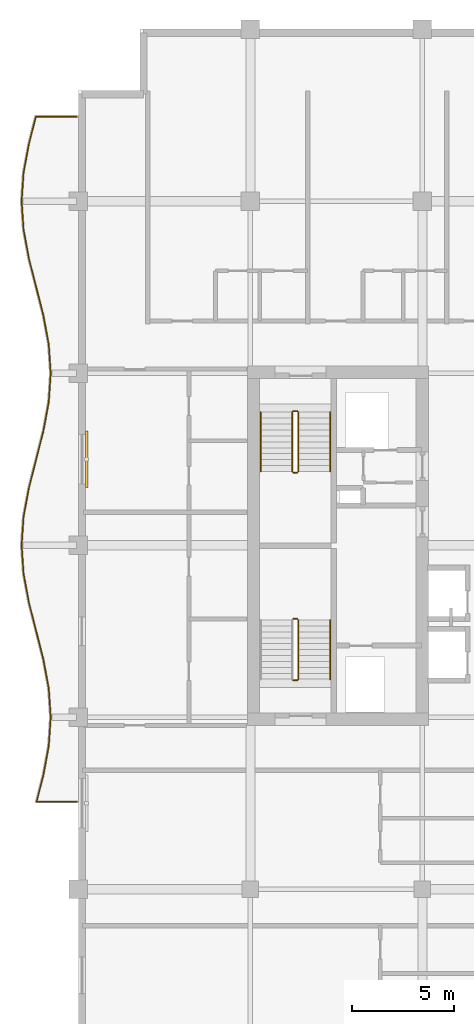
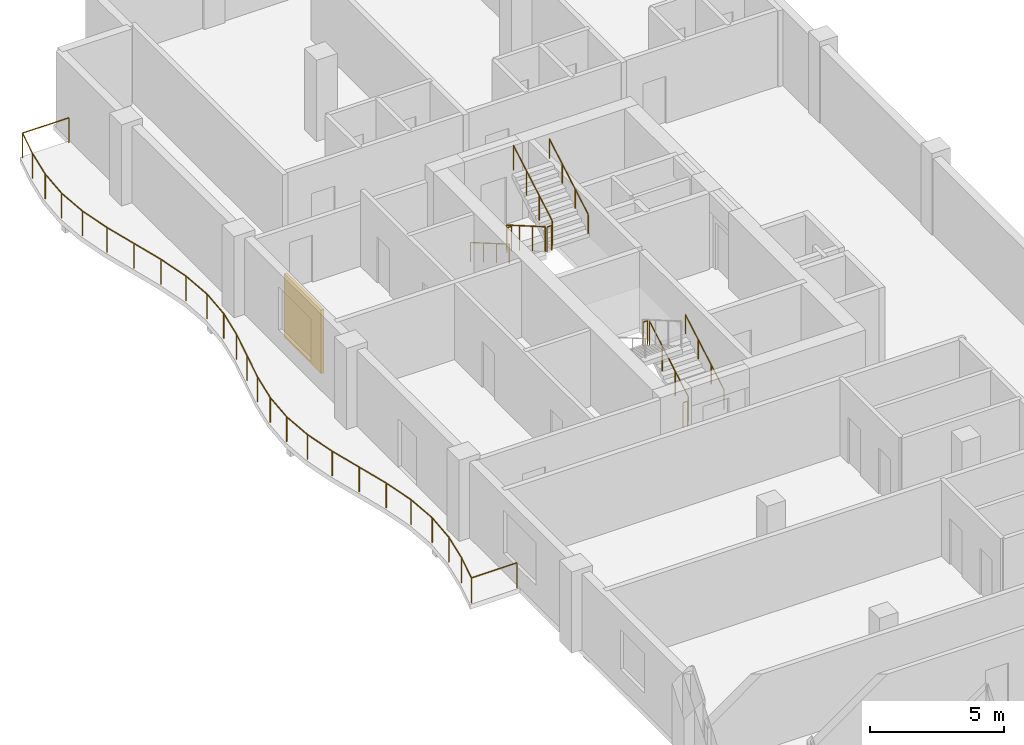
# One storey, part 16 of 16: 11 railings, 1 shading device.
"""IFC4 building model written with IfcOpenShell, lengths in metres."""

import ifcopenshell
import ifcopenshell.guid

model = None  # the IFC model being written
_history = None  # IfcOwnerHistory: only IFC2X3 demands one
_inside = {}  # id of a spatial element -> (the spatial element, [elements in it])
_under = {}  # id of a project, library or spatial element -> (it, [spatial elements below it])
_declared = {}  # id of a project -> (the project, [libraries it declares])
_typed = {}  # id of a type object -> (the type object, [elements of that type])
_made_of = {}  # id of a material, layer set ... -> (it, [elements and type objects made of it])


def new_model(schema):
    """Start an empty IFC model of exactly this schema.

    Asked for "IFC4X3", IfcOpenShell would pick the latest addendum, in which some entities
    have other attributes; the version numbers below select the first issue.
    IFC2X3 requires an IfcOwnerHistory on every rooted entity: one is made here for all.
    """
    global model, _history
    if schema == "IFC4X3":
        model = ifcopenshell.file(schema_version=(4, 3, 0, 0))
    else:
        model = ifcopenshell.file(schema=schema)
    _inside.clear()
    _under.clear()
    _declared.clear()
    _typed.clear()
    _made_of.clear()
    _history = None
    if model.schema == "IFC2X3":
        org = make("IfcOrganization", Name="unknown")
        user = make(
            "IfcPersonAndOrganization",
            ThePerson=make("IfcPerson", FamilyName="unknown"),
            TheOrganization=org,
        )
        app = make(
            "IfcApplication",
            ApplicationDeveloper=org,
            Version="unknown",
            ApplicationFullName="unknown",
            ApplicationIdentifier="unknown",
        )
        _history = make(
            "IfcOwnerHistory",
            OwningUser=user,
            OwningApplication=app,
            ChangeAction="ADDED",
            CreationDate=0,
        )
    return model


def make(cls, **values):
    """One entity of the class cls with the attributes given. An attribute that is None is left unset."""
    return model.create_entity(
        cls, **{name: value for name, value in values.items() if value is not None}
    )


def rooted(cls, **values):
    """An entity with a GlobalId (a new one), such as an element, a storey or a relation."""
    return make(cls, GlobalId=ifcopenshell.guid.new(), OwnerHistory=_history, **values)


def si_unit(unit_type, name, prefix=None):
    """IfcSIUnit, for example si_unit("LENGTHUNIT", "METRE", prefix="MILLI")."""
    return make("IfcSIUnit", UnitType=unit_type, Prefix=prefix, Name=name)


def assignment(units):
    """IfcUnitAssignment: the units of a project."""
    return None if units is None else make("IfcUnitAssignment", Units=units)


def point(xyz):
    """IfcCartesianPoint."""
    return None if xyz is None else make("IfcCartesianPoint", Coordinates=xyz)


def direction(xyz):
    """IfcDirection."""
    return None if xyz is None else make("IfcDirection", DirectionRatios=xyz)


def frame(location, z_axis=None, x_axis=None):
    """IfcAxis2Placement3D, a coordinate frame: its origin and axes. An axis left out is left unset."""
    return make(
        "IfcAxis2Placement3D",
        Location=point(location),
        Axis=direction(z_axis),
        RefDirection=direction(x_axis),
    )


def frame_2d(location, x_axis=None):
    """IfcAxis2Placement2D, a coordinate frame in the plane: its origin and x axis."""
    return make(
        "IfcAxis2Placement2D", Location=point(location), RefDirection=direction(x_axis)
    )


def origin():
    """The frame at (0, 0, 0) with its axes left unset."""
    return frame((0.0, 0.0, 0.0))


def origin_2d():
    """The frame at (0, 0) in the plane with its x axis left unset."""
    return frame_2d((0.0, 0.0))


def place(relative_to, where):
    """IfcLocalPlacement: puts the frame where relative to a parent placement (None: the world)."""
    return make(
        "IfcLocalPlacement", PlacementRelTo=relative_to, RelativePlacement=where
    )


def context(
    kind, dimensions, precision=None, world=None, true_north=None, identifier=None
):
    """IfcGeometricRepresentationContext, for example the 3D "Model" context."""
    return make(
        "IfcGeometricRepresentationContext",
        ContextIdentifier=identifier,
        ContextType=kind,
        CoordinateSpaceDimension=dimensions,
        Precision=precision,
        WorldCoordinateSystem=world,
        TrueNorth=true_north,
    )


def subcontext(parent, identifier, kind, view, scale=None):
    """IfcGeometricRepresentationSubContext, for example "Body" below "Model"."""
    return make(
        "IfcGeometricRepresentationSubContext",
        ContextIdentifier=identifier,
        ContextType=kind,
        ParentContext=parent,
        TargetScale=scale,
        TargetView=view,
    )


def project(units=None, contexts=None):
    """IfcProject with its units and contexts."""
    return rooted(
        "IfcProject",
        Name="project",
        RepresentationContexts=contexts,
        UnitsInContext=assignment(units),
    )


def spatial(cls, under=None, at=None, **own):
    """A site, building, storey or space (cls), placed at a placement, below another one or the project."""
    s = rooted(cls, ObjectPlacement=at, **own)
    if under is not None:
        _under.setdefault(under.id(), (under, []))[1].append(s)
    return s


def profile(cls, at=None, kind="AREA", **sizes):
    """A parametric profile (cls). Its sizes go by their IFC names, for example OverallWidth=200.0."""
    return make(cls, ProfileType=kind, Position=at, **sizes)


def rectangle(**sizes):
    """IfcRectangleProfileDef."""
    return profile("IfcRectangleProfileDef", **sizes)


def circle(**sizes):
    """IfcCircleProfileDef."""
    return profile("IfcCircleProfileDef", **sizes)


def extrude(swept, where, along, depth):
    """IfcExtrudedAreaSolid: the profile swept, set in the frame where, extruded along a direction by depth."""
    return make(
        "IfcExtrudedAreaSolid",
        SweptArea=swept,
        Position=where,
        ExtrudedDirection=direction(along),
        Depth=depth,
    )


def shape(context_of_items, identifier, shape_type, items):
    """IfcShapeRepresentation: the items that make up one representation, for example the "Body"."""
    return make(
        "IfcShapeRepresentation",
        ContextOfItems=context_of_items,
        RepresentationIdentifier=identifier,
        RepresentationType=shape_type,
        Items=items,
    )


def material(Name=None, Category=None):
    """IfcMaterial."""
    return make("IfcMaterial", Name=Name, Category=Category)


def layer(
    of_material, thickness, ventilated=None, Name=None, Category=None, Priority=None
):
    """IfcMaterialLayer: one layer of a wall or slab, of a material (None: an air gap)."""
    return make(
        "IfcMaterialLayer",
        Material=of_material,
        LayerThickness=thickness,
        IsVentilated=ventilated,
        Name=Name,
        Category=Category,
        Priority=Priority,
    )


def layer_set(layers, Name=None):
    """IfcMaterialLayerSet."""
    return make("IfcMaterialLayerSet", MaterialLayers=layers, LayerSetName=Name)


def made_of(thing, what):
    """Note that an element or type object is made of a material, layer set ...; save() writes the relation."""
    if what is not None:
        _made_of.setdefault(what.id(), (what, []))[1].append(thing)
    return thing


def type_object(cls, material=None, **own):
    """A type object (cls), such as IfcWallType, which elements share."""
    return made_of(rooted(cls, **own), material)


def element(
    cls,
    number,
    at=None,
    inside=None,
    cuts=None,
    type_object=None,
    material=None,
    context=None,
    identifier="Body",
    shape_type=None,
    held_by="IfcProductDefinitionShape",
    body=None,
    shapes=None,
    **own,
):
    """One element of the class cls, such as IfcWall. Its Tag is "e" and its number.

    at: its placement. inside: the storey or other place that contains it. cuts: it is an
    opening in that element (IfcRelVoidsElement). A single representation is given by context,
    identifier, shape_type and body (its items); several are given by shapes. held_by: the class
    of the entity that holds the representations. save() writes the other relations.
    """
    e = rooted(cls, Tag="e%d" % number, ObjectPlacement=at, **own)
    if body is not None:
        shapes = [shape(context, identifier, shape_type, body)]
    if shapes is not None:
        e.Representation = make(held_by, Representations=shapes)
    if inside is not None:
        _inside.setdefault(inside.id(), (inside, []))[1].append(e)
    if cuts is not None:
        rooted(
            "IfcRelVoidsElement", RelatingBuildingElement=cuts, RelatedOpeningElement=e
        )
    if type_object is not None:
        _typed.setdefault(type_object.id(), (type_object, []))[1].append(e)
    return made_of(e, material)


def aggregate(whole, parts):
    """IfcRelAggregates: a whole, such as a stair, and the parts it consists of."""
    return rooted("IfcRelAggregates", RelatingObject=whole, RelatedObjects=parts)


def save(model, path):
    """Write the relations noted so far, then the file.

    IfcRelAggregates (storeys below a building ...), IfcRelContainedInSpatialStructure (elements
    in a storey), IfcRelDefinesByType, IfcRelAssociatesMaterial and IfcRelDeclares: one each for
    every whole, place, type object, material and project.
    """
    for whole, parts in _under.values():
        aggregate(whole, parts)
    for where, things in _inside.values():
        rooted(
            "IfcRelContainedInSpatialStructure",
            RelatedElements=things,
            RelatingStructure=where,
        )
    for kind, things in _typed.values():
        rooted("IfcRelDefinesByType", RelatedObjects=things, RelatingType=kind)
    for what, things in _made_of.values():
        rooted("IfcRelAssociatesMaterial", RelatedObjects=things, RelatingMaterial=what)
    for by, libraries in _declared.values():
        rooted("IfcRelDeclares", RelatingContext=by, RelatedDefinitions=libraries)
    model.write(path)


model = new_model("IFC4")

# Units and contexts
model_context = context("Model", 3, precision=1e-05, world=origin(), true_north=direction((0.0, 1.0)))
body_context = subcontext(model_context, "Body", "Model", "MODEL_VIEW")
ifc_project = project(units=[si_unit("LENGTHUNIT", "METRE"), si_unit("AREAUNIT", "SQUARE_METRE"), si_unit("VOLUMEUNIT", "CUBIC_METRE"), si_unit("PLANEANGLEUNIT", "RADIAN"), si_unit("MASSUNIT", "GRAM", prefix="KILO")], contexts=[model_context])

# Site, building, storey
site_placement = place(None, origin())
site = spatial("IfcSite", under=ifc_project, at=site_placement, CompositionType="ELEMENT")
building_placement = place(site_placement, origin())
building = spatial("IfcBuilding", under=site, at=building_placement, Name="Koriwani Terraces Tower", CompositionType="ELEMENT")
storey_placement = place(building_placement, frame((0.0, 0.0, 260.10009765625)))
storey = spatial("IfcBuildingStorey", under=building, at=storey_placement, Name="L64", CompositionType="ELEMENT", Elevation=260.10009765625)

# Railings
ifc_material_1 = material(Name="Steel ASTM A572 Grade 50", Category="steel")
railing_type_1 = type_object("IfcRailingType", Name="GUARD_BALUSTRADE_1150", PredefinedType="BALUSTRADE", material=ifc_material_1)
railing_1_placement = place(storey_placement, frame((8.320068359375, 37.8798828125, 0.0)))
element("IfcRailing", 1, at=railing_1_placement, inside=storey, type_object=railing_type_1, Name="L64 Balcony Perimeter Safety Balustrade (W)", PredefinedType="BALUSTRADE", context=body_context, shape_type="SweptSolid", body=[
    extrude(circle(Radius=0.02392578125, at=origin_2d()), frame((0.0, 0.0, 1.1259765625), z_axis=(-1.0, 0.0, 0.0), x_axis=(0.0, -1.0, 0.0)), (0.0, 0.0, 1.0), 1.957275390625),
    extrude(circle(Radius=0.02392578125, at=origin_2d()), frame((-1.957275390625, 0.0, 1.1259765625), z_axis=(0.245739459323, 0.969335916043, 0.0), x_axis=(-0.969335916043, 0.245739459323, 0.0)), (0.0, 0.0, 1.0), 1.34423828125),
    extrude(circle(Radius=0.02392578125, at=origin_2d()), frame((-1.626953125, 1.302978515625, 1.1259765625), z_axis=(0.182351913416, 0.983233329212, 0.0), x_axis=(-0.983233329212, 0.182351913416, 0.0)), (0.0, 0.0, 1.0), 1.43115234375),
    extrude(circle(Radius=0.02392578125, at=origin_2d()), frame((-1.365966796875, 2.710205078125, 1.1259765625), z_axis=(0.067722949425, 0.997704165633, 0.0), x_axis=(-0.997704165633, 0.067722949425, 0.0)), (0.0, 0.0, 1.0), 1.4130859375),
    extrude(circle(Radius=0.02392578125, at=origin_2d()), frame((-1.270263671875, 4.1201171875, 1.1259765625), z_axis=(-0.067722949425, 0.997704165633, 0.0), x_axis=(-0.997704165633, -0.067722949425, 0.0)), (0.0, 0.0, 1.0), 1.4130859375),
    extrude(circle(Radius=0.02392578125, at=origin_2d()), frame((-1.365966796875, 5.530029296875, 1.1259765625), z_axis=(-0.182351913416, 0.983233329212, 0.0), x_axis=(-0.983233329212, -0.182351913416, 0.0)), (0.0, 0.0, 1.0), 1.43115234375),
    extrude(circle(Radius=0.02392578125, at=origin_2d()), frame((-1.626953125, 6.937255859375, 1.1259765625), z_axis=(-0.245775750895, 0.969326714928, 0.0), x_axis=(-0.969326714928, -0.245775750895, 0.0)), (0.0, 0.0, 1.0), 2.888671875),
    extrude(circle(Radius=0.02392578125, at=origin_2d()), frame((-2.3369140625, 9.7373046875, 1.1259765625), z_axis=(-0.182508895706, 0.98320420208, 0.0), x_axis=(-0.98320420208, -0.182508895706, 0.0)), (0.0, 0.0, 1.0), 1.41650390625),
    extrude(circle(Radius=0.02392578125, at=origin_2d()), frame((-2.595458984375, 11.130126953125, 1.1259765625), z_axis=(-0.067821696155, 0.997697457915, 0.0), x_axis=(-0.997697457915, -0.067821696155, 0.0)), (0.0, 0.0, 1.0), 1.39306640625),
    extrude(circle(Radius=0.02392578125, at=origin_2d()), frame((-2.68994140625, 12.52001953125, 1.1259765625), z_axis=(0.067809839848, 0.997698263815, 0.0), x_axis=(-0.997698263815, 0.067809839848, 0.0)), (0.0, 0.0, 1.0), 1.393310546875),
    extrude(circle(Radius=0.02392578125, at=origin_2d()), frame((-2.595458984375, 13.91015625, 1.1259765625), z_axis=(0.182508895706, 0.98320420208, 0.0), x_axis=(-0.98320420208, 0.182508895706, 0.0)), (0.0, 0.0, 1.0), 1.41650390625),
    extrude(circle(Radius=0.02392578125, at=origin_2d()), frame((-2.3369140625, 15.302978515625, 1.1259765625), z_axis=(0.245775750895, 0.969326714928, 0.0), x_axis=(-0.969326714928, 0.245775750895, 0.0)), (0.0, 0.0, 1.0), 2.888671875),
    extrude(circle(Radius=0.02392578125, at=origin_2d()), frame((-1.626953125, 18.10302734375, 1.1259765625), z_axis=(0.182382502828, 0.983227655562, 0.0), x_axis=(-0.983227655562, 0.182382502828, 0.0)), (0.0, 0.0, 1.0), 1.430908203125),
    extrude(circle(Radius=0.02392578125, at=origin_2d()), frame((-1.365966796875, 19.510009765625, 1.1259765625), z_axis=(0.067711278299, 0.997704957786, 0.0), x_axis=(-0.997704957786, 0.067711278299, 0.0)), (0.0, 0.0, 1.0), 1.413330078125),
    extrude(circle(Radius=0.02392578125, at=origin_2d()), frame((-1.270263671875, 20.920166015625, 1.1259765625), z_axis=(-0.067722949425, 0.997704165633, 0.0), x_axis=(-0.997704165633, -0.067722949425, 0.0)), (0.0, 0.0, 1.0), 1.4130859375),
    extrude(circle(Radius=0.02392578125, at=origin_2d()), frame((-1.365966796875, 22.330078125, 1.1259765625), z_axis=(-0.182351913416, 0.983233329212, 0.0), x_axis=(-0.983233329212, -0.182351913416, 0.0)), (0.0, 0.0, 1.0), 1.43115234375),
    extrude(circle(Radius=0.02392578125, at=origin_2d()), frame((-1.626953125, 23.7373046875, 1.1259765625), z_axis=(-0.245775750895, 0.969326714928, 0.0), x_axis=(-0.969326714928, -0.245775750895, 0.0)), (0.0, 0.0, 1.0), 2.888671875),
    extrude(circle(Radius=0.02392578125, at=origin_2d()), frame((-2.3369140625, 26.537353515625, 1.1259765625), z_axis=(-0.182508895706, 0.98320420208, 0.0), x_axis=(-0.98320420208, -0.182508895706, 0.0)), (0.0, 0.0, 1.0), 1.41650390625),
    extrude(circle(Radius=0.02392578125, at=origin_2d()), frame((-2.595458984375, 27.93017578125, 1.1259765625), z_axis=(-0.067821696155, 0.997697457915, 0.0), x_axis=(-0.997697457915, -0.067821696155, 0.0)), (0.0, 0.0, 1.0), 1.39306640625),
    extrude(circle(Radius=0.02392578125, at=origin_2d()), frame((-2.68994140625, 29.320068359375, 1.1259765625), z_axis=(0.067809839848, 0.997698263815, 0.0), x_axis=(-0.997698263815, 0.067809839848, 0.0)), (0.0, 0.0, 1.0), 1.393310546875),
    extrude(circle(Radius=0.02392578125, at=origin_2d()), frame((-2.595458984375, 30.710205078125, 1.1259765625), z_axis=(0.182508895706, 0.98320420208, 0.0), x_axis=(-0.98320420208, 0.182508895706, 0.0)), (0.0, 0.0, 1.0), 1.41650390625),
    extrude(circle(Radius=0.02392578125, at=origin_2d()), frame((-2.3369140625, 32.10302734375, 1.1259765625), z_axis=(0.245823959624, 0.969314490181, 0.0), x_axis=(-0.969314490181, 0.245823959624, 0.0)), (0.0, 0.0, 1.0), 1.37939453125),
    extrude(circle(Radius=0.02392578125, at=origin_2d()), frame((-1.997802734375, 33.440185546875, 1.1259765625), z_axis=(1.0, 0.0, 0.0), x_axis=(0.0, 1.0, 0.0)), (0.0, 0.0, 1.0), 1.997802734375),
    extrude(circle(Radius=0.02099609375, at=origin_2d()), origin(), (0.0, 0.0, 1.0), 1.101806640625),
    extrude(circle(Radius=0.02099609375, at=origin_2d()), frame((-1.957275390625, 0.0, 0.0)), (0.0, 0.0, 1.0), 1.101806640625),
    extrude(circle(Radius=0.02099609375, at=origin_2d()), frame((-1.626953125, 1.302978515625, 0.0)), (0.0, 0.0, 1.0), 1.101806640625),
    extrude(circle(Radius=0.02099609375, at=origin_2d()), frame((-1.365966796875, 2.710205078125, 0.0)), (0.0, 0.0, 1.0), 1.101806640625),
    extrude(circle(Radius=0.02099609375, at=origin_2d()), frame((-1.270263671875, 4.1201171875, 0.0)), (0.0, 0.0, 1.0), 1.101806640625),
    extrude(circle(Radius=0.02099609375, at=origin_2d()), frame((-1.365966796875, 5.530029296875, 0.0)), (0.0, 0.0, 1.0), 1.101806640625),
    extrude(circle(Radius=0.02099609375, at=origin_2d()), frame((-1.626953125, 6.937255859375, 0.0)), (0.0, 0.0, 1.0), 1.101806640625),
    extrude(circle(Radius=0.02099609375, at=origin_2d()), frame((-1.98193359375, 8.33740234375, 0.0)), (0.0, 0.0, 1.0), 1.101806640625),
    extrude(circle(Radius=0.02099609375, at=origin_2d()), frame((-2.3369140625, 9.7373046875, 0.0)), (0.0, 0.0, 1.0), 1.101806640625),
    extrude(circle(Radius=0.02099609375, at=origin_2d()), frame((-2.595458984375, 11.130126953125, 0.0)), (0.0, 0.0, 1.0), 1.101806640625),
    extrude(circle(Radius=0.02099609375, at=origin_2d()), frame((-2.68994140625, 12.52001953125, 0.0)), (0.0, 0.0, 1.0), 1.101806640625),
    extrude(circle(Radius=0.02099609375, at=origin_2d()), frame((-2.595458984375, 13.91015625, 0.0)), (0.0, 0.0, 1.0), 1.101806640625),
    extrude(circle(Radius=0.02099609375, at=origin_2d()), frame((-2.3369140625, 15.302978515625, 0.0)), (0.0, 0.0, 1.0), 1.101806640625),
    extrude(circle(Radius=0.02099609375, at=origin_2d()), frame((-1.98193359375, 16.703125, 0.0)), (0.0, 0.0, 1.0), 1.101806640625),
    extrude(circle(Radius=0.02099609375, at=origin_2d()), frame((-1.626953125, 18.10302734375, 0.0)), (0.0, 0.0, 1.0), 1.101806640625),
    extrude(circle(Radius=0.02099609375, at=origin_2d()), frame((-1.365966796875, 19.510009765625, 0.0)), (0.0, 0.0, 1.0), 1.101806640625),
    extrude(circle(Radius=0.02099609375, at=origin_2d()), frame((-1.270263671875, 20.920166015625, 0.0)), (0.0, 0.0, 1.0), 1.101806640625),
    extrude(circle(Radius=0.02099609375, at=origin_2d()), frame((-1.365966796875, 22.330078125, 0.0)), (0.0, 0.0, 1.0), 1.101806640625),
    extrude(circle(Radius=0.02099609375, at=origin_2d()), frame((-1.626953125, 23.7373046875, 0.0)), (0.0, 0.0, 1.0), 1.101806640625),
    extrude(circle(Radius=0.02099609375, at=origin_2d()), frame((-1.98193359375, 25.13720703125, 0.0)), (0.0, 0.0, 1.0), 1.101806640625),
    extrude(circle(Radius=0.02099609375, at=origin_2d()), frame((-2.3369140625, 26.537353515625, 0.0)), (0.0, 0.0, 1.0), 1.101806640625),
    extrude(circle(Radius=0.02099609375, at=origin_2d()), frame((-2.595458984375, 27.93017578125, 0.0)), (0.0, 0.0, 1.0), 1.101806640625),
    extrude(circle(Radius=0.02099609375, at=origin_2d()), frame((-2.68994140625, 29.320068359375, 0.0)), (0.0, 0.0, 1.0), 1.101806640625),
    extrude(circle(Radius=0.02099609375, at=origin_2d()), frame((-2.595458984375, 30.710205078125, 0.0)), (0.0, 0.0, 1.0), 1.101806640625),
    extrude(circle(Radius=0.02099609375, at=origin_2d()), frame((-2.3369140625, 32.10302734375, 0.0)), (0.0, 0.0, 1.0), 1.101806640625),
    extrude(circle(Radius=0.02099609375, at=origin_2d()), frame((-1.997802734375, 33.440185546875, 0.0)), (0.0, 0.0, 1.0), 1.101806640625),
    extrude(circle(Radius=0.02099609375, at=origin_2d()), frame((0.0, 33.440185546875, 0.0)), (0.0, 0.0, 1.0), 1.101806640625),
])
railing_type_2 = type_object("IfcRailingType", Name="GUARD_STAIR_WELL_1120", PredefinedType="GUARDRAIL", material=ifc_material_1)
railing_2_placement = place(storey_placement, frame((19.14990234375, 43.85009765625, 0.16796875)))
element("IfcRailing", 2, at=railing_2_placement, inside=storey, type_object=railing_type_2, Name="L64 ST-W1 stair guard 1", PredefinedType="GUARDRAIL", context=body_context, shape_type="SweptSolid", body=[
    extrude(circle(Radius=0.02392578125, at=origin_2d()), frame((0.0, 0.0, 1.1259765625), z_axis=(0.0, 0.865038774852, 0.501705010941), x_axis=(-1.0, 0.0, 0.0)), (0.0, 0.0, 1.0), 3.352294921875),
    extrude(circle(Radius=0.02099609375, at=origin_2d()), origin(), (0.0, 0.0, 1.0), 1.101806640625),
    extrude(circle(Radius=0.02099609375, at=origin_2d()), frame((0.0, 0.966552734375, 0.560546875)), (0.0, 0.0, 1.0), 1.101806640625),
    extrude(circle(Radius=0.02099609375, at=origin_2d()), frame((0.0, 1.933349609375, 1.121337890625)), (0.0, 0.0, 1.0), 1.101806640625),
    extrude(circle(Radius=0.02099609375, at=origin_2d()), frame((0.0, 2.89990234375, 1.681884765625)), (0.0, 0.0, 1.0), 1.101806640625),
])
for number, where, name in (
    (3, (19.10009765625, 46.800048828125, 1.849853515625), "L64 ST-W1 stair guard 2"),
    (4, (19.10009765625, 43.800048828125, 0.0), "L64 ST-W1 stair guard 4"),
):
    element("IfcRailing", number, at=place(storey_placement, frame(where)), inside=storey, type_object=railing_type_2, Name=name, PredefinedType="GUARDRAIL", context=body_context, shape_type="SweptSolid", body=[
        extrude(circle(Radius=0.02392578125, at=origin_2d()), frame((0.0, 0.0, 1.1259765625), z_axis=(-1.0, 0.0, 0.0), x_axis=(0.0, -1.0, 0.0)), (0.0, 0.0, 1.0), 0.2001953125),
        extrude(circle(Radius=0.02099609375, at=origin_2d()), origin(), (0.0, 0.0, 1.0), 1.101806640625),
        extrude(circle(Radius=0.02099609375, at=origin_2d()), frame((-0.2001953125, 0.0, 0.0)), (0.0, 0.0, 1.0), 1.101806640625),
    ])
railing_3_placement = place(storey_placement, frame((18.85009765625, 56.89990234375, 0.16796875)))
element("IfcRailing", 5, at=railing_3_placement, inside=storey, type_object=railing_type_2, Name="L64 ST-W2 stair guard 1", PredefinedType="GUARDRAIL", context=body_context, shape_type="SweptSolid", body=[
    extrude(circle(Radius=0.02392578125, at=origin_2d()), frame((0.0, 0.0, 1.1259765625), z_axis=(0.0, -0.865038774852, 0.501705010941), x_axis=(1.0, 0.0, 0.0)), (0.0, 0.0, 1.0), 3.352294921875),
    extrude(circle(Radius=0.02099609375, at=origin_2d()), origin(), (0.0, 0.0, 1.0), 1.101806640625),
    extrude(circle(Radius=0.02099609375, at=origin_2d()), frame((0.0, -0.966552734375, 0.560546875)), (0.0, 0.0, 1.0), 1.101806640625),
    extrude(circle(Radius=0.02099609375, at=origin_2d()), frame((0.0, -1.933349609375, 1.121337890625)), (0.0, 0.0, 1.0), 1.101806640625),
    extrude(circle(Radius=0.02099609375, at=origin_2d()), frame((0.0, -2.89990234375, 1.681884765625)), (0.0, 0.0, 1.0), 1.101806640625),
])
railing_4_placement = place(storey_placement, frame((18.89990234375, 53.949951171875, 1.849853515625)))
element("IfcRailing", 6, at=railing_4_placement, inside=storey, type_object=railing_type_2, Name="L64 ST-W2 stair guard 2", PredefinedType="GUARDRAIL", context=body_context, shape_type="SweptSolid", body=[
    extrude(circle(Radius=0.02392578125, at=origin_2d()), frame((0.0, 0.0, 1.1259765625), z_axis=(1.0, 0.0, 0.0), x_axis=(0.0, 1.0, 0.0)), (0.0, 0.0, 1.0), 0.2001953125),
    extrude(circle(Radius=0.02099609375, at=origin_2d()), origin(), (0.0, 0.0, 1.0), 1.101806640625),
    extrude(circle(Radius=0.02099609375, at=origin_2d()), frame((0.2001953125, 0.0, 0.0)), (0.0, 0.0, 1.0), 1.101806640625),
])
railing_5_placement = place(storey_placement, frame((19.14990234375, 54.0, 2.01806640625)))
element("IfcRailing", 7, at=railing_5_placement, inside=storey, type_object=railing_type_2, Name="L64 ST-W2 stair guard 3", PredefinedType="GUARDRAIL", context=body_context, shape_type="SweptSolid", body=[
    extrude(circle(Radius=0.02392578125, at=origin_2d()), frame((0.0, 0.0, 1.1259765625), z_axis=(0.0, 0.865038774852, 0.501705010941), x_axis=(-1.0, 0.0, 0.0)), (0.0, 0.0, 1.0), 3.352294921875),
    extrude(circle(Radius=0.02099609375, at=origin_2d()), origin(), (0.0, 0.0, 1.0), 1.101806640625),
    extrude(circle(Radius=0.02099609375, at=origin_2d()), frame((0.0, 0.966552734375, 0.560546875)), (0.0, 0.0, 1.0), 1.101806640625),
    extrude(circle(Radius=0.02099609375, at=origin_2d()), frame((0.0, 1.933349609375, 1.121337890625)), (0.0, 0.0, 1.0), 1.101806640625),
    extrude(circle(Radius=0.02099609375, at=origin_2d()), frame((0.0, 2.89990234375, 1.681884765625)), (0.0, 0.0, 1.0), 1.101806640625),
])
railing_6_placement = place(storey_placement, frame((18.89990234375, 56.949951171875, 0.0)))
element("IfcRailing", 8, at=railing_6_placement, inside=storey, type_object=railing_type_2, Name="L64 ST-W2 stair guard 4", PredefinedType="GUARDRAIL", context=body_context, shape_type="SweptSolid", body=[
    extrude(circle(Radius=0.02392578125, at=origin_2d()), frame((0.0, 0.0, 1.1259765625), z_axis=(1.0, 0.0, 0.0), x_axis=(0.0, 1.0, 0.0)), (0.0, 0.0, 1.0), 0.2001953125),
    extrude(circle(Radius=0.02099609375, at=origin_2d()), origin(), (0.0, 0.0, 1.0), 1.101806640625),
    extrude(circle(Radius=0.02099609375, at=origin_2d()), frame((0.2001953125, 0.0, 0.0)), (0.0, 0.0, 1.0), 1.101806640625),
])
railing_type_3 = type_object("IfcRailingType", Name="HANDRAIL_STAIR_920", PredefinedType="HANDRAIL", material=ifc_material_1)
railing_7_placement = place(storey_placement, frame((20.699951171875, 43.85009765625, 0.16796875)))
element("IfcRailing", 9, at=railing_7_placement, inside=storey, type_object=railing_type_3, Name="L64 ST-W1 stair handrail 1", PredefinedType="HANDRAIL", context=body_context, shape_type="SweptSolid", body=[
    extrude(circle(Radius=0.02392578125, at=origin_2d()), frame((0.0, 0.0, 0.8759765625), z_axis=(0.0, 0.865038774852, 0.501705010941), x_axis=(-1.0, 0.0, 0.0)), (0.0, 0.0, 1.0), 3.352294921875),
    extrude(circle(Radius=0.02099609375, at=origin_2d()), origin(), (0.0, 0.0, 1.0), 0.851806640625),
    extrude(circle(Radius=0.02099609375, at=origin_2d()), frame((0.0, 0.966552734375, 0.560546875)), (0.0, 0.0, 1.0), 0.851806640625),
    extrude(circle(Radius=0.02099609375, at=origin_2d()), frame((0.0, 1.933349609375, 1.121337890625)), (0.0, 0.0, 1.0), 0.851806640625),
    extrude(circle(Radius=0.02099609375, at=origin_2d()), frame((0.0, 2.89990234375, 1.681884765625)), (0.0, 0.0, 1.0), 0.851806640625),
])
railing_8_placement = place(storey_placement, frame((17.300048828125, 56.89990234375, 0.16796875)))
element("IfcRailing", 10, at=railing_8_placement, inside=storey, type_object=railing_type_3, Name="L64 ST-W2 stair handrail 1", PredefinedType="HANDRAIL", context=body_context, shape_type="SweptSolid", body=[
    extrude(circle(Radius=0.02392578125, at=origin_2d()), frame((0.0, 0.0, 0.8759765625), z_axis=(0.0, -0.865038774852, 0.501705010941), x_axis=(1.0, 0.0, 0.0)), (0.0, 0.0, 1.0), 3.352294921875),
    extrude(circle(Radius=0.02099609375, at=origin_2d()), origin(), (0.0, 0.0, 1.0), 0.851806640625),
    extrude(circle(Radius=0.02099609375, at=origin_2d()), frame((0.0, -0.966552734375, 0.560546875)), (0.0, 0.0, 1.0), 0.851806640625),
    extrude(circle(Radius=0.02099609375, at=origin_2d()), frame((0.0, -1.933349609375, 1.121337890625)), (0.0, 0.0, 1.0), 0.851806640625),
    extrude(circle(Radius=0.02099609375, at=origin_2d()), frame((0.0, -2.89990234375, 1.681884765625)), (0.0, 0.0, 1.0), 0.851806640625),
])
railing_9_placement = place(storey_placement, frame((20.699951171875, 54.0, 2.01806640625)))
element("IfcRailing", 11, at=railing_9_placement, inside=storey, type_object=railing_type_3, Name="L64 ST-W2 stair handrail 2", PredefinedType="HANDRAIL", context=body_context, shape_type="SweptSolid", body=[
    extrude(circle(Radius=0.02392578125, at=origin_2d()), frame((0.0, 0.0, 0.8759765625), z_axis=(0.0, 0.865038774852, 0.501705010941), x_axis=(-1.0, 0.0, 0.0)), (0.0, 0.0, 1.0), 3.352294921875),
    extrude(circle(Radius=0.02099609375, at=origin_2d()), origin(), (0.0, 0.0, 1.0), 0.851806640625),
    extrude(circle(Radius=0.02099609375, at=origin_2d()), frame((0.0, 0.966552734375, 0.560546875)), (0.0, 0.0, 1.0), 0.851806640625),
    extrude(circle(Radius=0.02099609375, at=origin_2d()), frame((0.0, 1.933349609375, 1.121337890625)), (0.0, 0.0, 1.0), 0.851806640625),
    extrude(circle(Radius=0.02099609375, at=origin_2d()), frame((0.0, 2.89990234375, 1.681884765625)), (0.0, 0.0, 1.0), 0.851806640625),
])

# Shading device
ifc_material_2 = material(Name="Extruded Terracotta Clay", Category="masonry")
ifc_layer = layer(ifc_material_2, 0.1201171875, Name="Extruded Terracotta Clay")
ifc_layer_set = layer_set([ifc_layer], Name="Extruded Terracotta Clay")
shading_device_type = type_object("IfcShadingDeviceType", Name="TERRACOTTA_BAGUETTE_SCREEN_2800", PredefinedType="USERDEFINED", material=ifc_layer_set)
shading_device_placement = place(storey_placement, frame((8.804931640625, 54.60009765625, 0.284912109375), z_axis=(0.0, 0.0, 1.0), x_axis=(0.0, 1.0, 0.0)))
element("IfcShadingDevice", 12, at=shading_device_placement, inside=storey, type_object=shading_device_type, Name="L64 Extruded Terracotta Baguette Screen (W-15)", ObjectType="BAGUETTE", PredefinedType="USERDEFINED", context=body_context, shape_type="SweptSolid", body=[
    extrude(rectangle(XDim=2.760009765625, YDim=0.1201171875, at=origin_2d()), origin(), (0.0, 0.0, 1.0), 2.89990234375),
])

save(model, "model.ifc")
